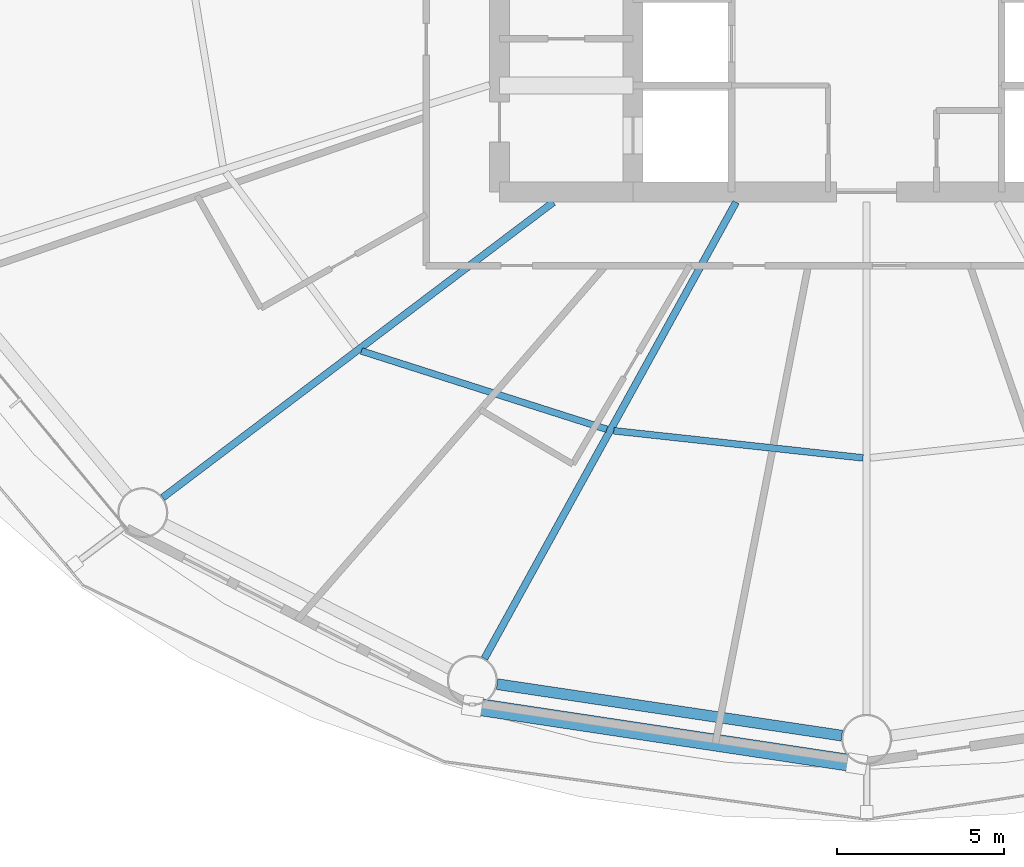
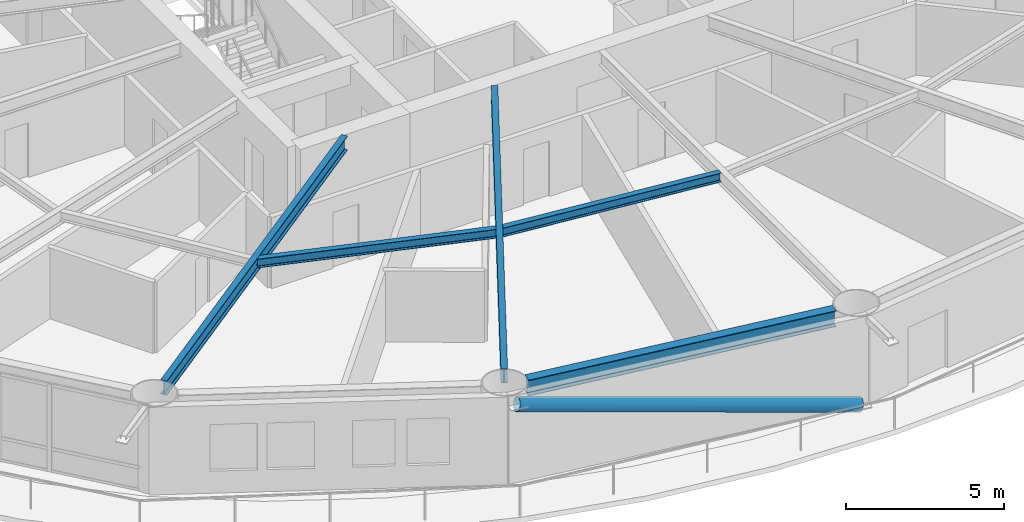
# One storey, part 3 of 26: 5 beams, 1 member.
"""IFC4 building model written with IfcOpenShell, lengths in metres."""

from ifc_helpers import new_model, si_unit, direction, frame, origin, origin_2d, place, context, subcontext, project, spatial, hollow_circle, i_section, extrude, material, material_profile, profile_set, type_object, element, save


model = new_model("IFC4")

# Units and contexts
model_context = context("Model", 3, precision=1e-05, world=origin(), true_north=direction((0.0, 1.0)))
body_context = subcontext(model_context, "Body", "Model", "MODEL_VIEW")
ifc_project = project(units=[si_unit("LENGTHUNIT", "METRE"), si_unit("AREAUNIT", "SQUARE_METRE"), si_unit("VOLUMEUNIT", "CUBIC_METRE"), si_unit("PLANEANGLEUNIT", "RADIAN"), si_unit("MASSUNIT", "GRAM", prefix="KILO")], contexts=[model_context])

# Site, building, storey
site_placement = place(None, origin())
site = spatial("IfcSite", under=ifc_project, at=site_placement, CompositionType="ELEMENT")
building_placement = place(site_placement, origin())
building = spatial("IfcBuilding", under=site, at=building_placement, Name="Sarneth Arch Tower", CompositionType="ELEMENT")
storey_placement = place(building_placement, frame((0.0, 0.0, 71.39990234375)))
storey = spatial("IfcBuildingStorey", under=building, at=storey_placement, Name="L17", CompositionType="ELEMENT", Elevation=71.39990234375)

# Beams
ifc_material_1 = material(Name="Steel S355", Category="steel")
ifc_material_profile_1 = material_profile(ifc_material_1, i_section(OverallWidth=0.202880859375, OverallDepth=0.346923828125, WebThickness=0.0078125, FlangeThickness=0.013427734375, FilletRadius=0.014892578125, at=origin_2d()), Name="W360x64")
ifc_profile_set_1 = profile_set([ifc_material_profile_1], Name="Steel S355")
beam_type_1 = type_object("IfcBeamType", Name="BM-JOIST-360C", PredefinedType="JOIST", material=ifc_profile_set_1)
beam_1_placement = place(storey_placement, frame((32.857666015625, 30.441162109375, 3.20654296875), z_axis=(0.95266836992, -0.304011475036, 0.0), x_axis=(0.304011475036, 0.95266836992, 0.0)))
element("IfcBeam", 1, at=beam_1_placement, inside=storey, type_object=beam_type_1, Name="L17 Secondary floor joist 11", PredefinedType="JOIST", context=body_context, shape_type="SweptSolid", body=[
    extrude(i_section(OverallWidth=0.202880859375, OverallDepth=0.346923828125, WebThickness=0.0078125, FlangeThickness=0.013427734375, FilletRadius=0.014892578125, at=origin_2d()), origin(), (0.0, 0.0, 1.0), 7.720703125),
])
beam_2_placement = place(storey_placement, frame((40.421142578125, 28.0498046875, 3.20654296875), z_axis=(0.994129966112, -0.108192469602, 0.0), x_axis=(0.108192469602, 0.994129966112, 0.0)))
element("IfcBeam", 2, at=beam_2_placement, inside=storey, type_object=beam_type_1, Name="L17 Secondary floor joist 12", PredefinedType="JOIST", context=body_context, shape_type="SweptSolid", body=[
    extrude(i_section(OverallWidth=0.202880859375, OverallDepth=0.346923828125, WebThickness=0.0078125, FlangeThickness=0.013427734375, FilletRadius=0.014892578125, at=origin_2d()), origin(), (0.0, 0.0, 1.0), 7.5166015625),
])
ifc_material_2 = material(Name="Steel S355", Category="steel")
ifc_material_profile_2 = material_profile(ifc_material_2, i_section(OverallWidth=0.214111328125, OverallDepth=0.549072265625, WebThickness=0.0146484375, FlangeThickness=0.023681640625, FilletRadius=0.01806640625, at=origin_2d()), Name="W530x138")
ifc_profile_set_2 = profile_set([ifc_material_profile_2], Name="Steel S355")
beam_type_2 = type_object("IfcBeamType", Name="BM-RAD-530A", PredefinedType="BEAM", material=ifc_profile_set_2)
beam_3_placement = place(storey_placement, frame((38.609619140625, 34.89990234375, 3.105712890625), z_axis=(-0.79765464731, -0.603114469753, 0.0), x_axis=(0.603114469753, -0.79765464731, 0.0)))
element("IfcBeam", 3, at=beam_3_placement, inside=storey, type_object=beam_type_2, Name="L17 Radial floor girder 11", PredefinedType="BEAM", context=body_context, shape_type="SweptSolid", body=[
    extrude(i_section(OverallWidth=0.214111328125, OverallDepth=0.549072265625, WebThickness=0.0146484375, FlangeThickness=0.023681640625, FilletRadius=0.01806640625, at=origin_2d()), origin(), (0.0, 0.0, 1.0), 14.677978515625),
])
beam_4_placement = place(storey_placement, frame((44.08544921875, 34.89990234375, 3.105712890625), z_axis=(-0.482841370957, -0.875707833979, 0.0), x_axis=(0.875707833979, -0.482841370957, 0.0)))
element("IfcBeam", 4, at=beam_4_placement, inside=storey, type_object=beam_type_2, Name="L17 Radial floor girder 12", PredefinedType="BEAM", context=body_context, shape_type="SweptSolid", body=[
    extrude(i_section(OverallWidth=0.214111328125, OverallDepth=0.549072265625, WebThickness=0.0146484375, FlangeThickness=0.023681640625, FilletRadius=0.01806640625, at=origin_2d()), origin(), (0.0, 0.0, 1.0), 15.618408203125),
])
ifc_material_3 = material(Name="Steel S355", Category="steel")
ifc_material_profile_3 = material_profile(ifc_material_3, i_section(OverallWidth=0.326904296875, OverallDepth=0.6220703125, WebThickness=0.015380859375, FlangeThickness=0.0244140625, FilletRadius=0.01904296875, at=origin_2d()), Name="W610x195")
ifc_profile_set_3 = profile_set([ifc_material_profile_3], Name="Steel S355")
beam_type_3 = type_object("IfcBeamType", Name="BM-SPAN-610A", PredefinedType="SPANDREL", material=ifc_profile_set_3)
beam_5_placement = place(storey_placement, frame((36.923828125, 20.455078125, 3.069091796875), z_axis=(0.989020169581, -0.147780594675, 0.0), x_axis=(0.147780594675, 0.989020169581, 0.0)))
element("IfcBeam", 5, at=beam_5_placement, inside=storey, type_object=beam_type_3, Name="L17 Perimeter spandrel beam 12", PredefinedType="SPANDREL", context=body_context, shape_type="SweptSolid", body=[
    extrude(i_section(OverallWidth=0.326904296875, OverallDepth=0.6220703125, WebThickness=0.015380859375, FlangeThickness=0.0244140625, FilletRadius=0.01904296875, at=origin_2d()), origin(), (0.0, 0.0, 1.0), 10.44921875),
])

# Member
ifc_material_4 = material(Name="Steel S355", Category="steel")
ifc_material_profile_4 = material_profile(ifc_material_4, hollow_circle(Radius=0.25390625, WallThickness=0.01611328125, at=origin_2d()), Name="CHS508x16")
ifc_profile_set_4 = profile_set([ifc_material_profile_4], Name="Steel S355")
member_type = type_object("IfcMemberType", Name="MEM-DIAG-BR1", PredefinedType="BRACE", material=ifc_profile_set_4)
member_placement = place(storey_placement, frame((47.703369140625, 18.064697265625, 0.02001953125), z_axis=(-0.957875899759, 0.144316613483, 0.248287083301), x_axis=(-0.1489817545, -0.988839944999, 0.0)))
element("IfcMember", 6, at=member_placement, inside=storey, type_object=member_type, Name="L17 Perimeter frame diagonal 12", PredefinedType="BRACE", context=body_context, shape_type="SweptSolid", body=[
    extrude(hollow_circle(Radius=0.25390625, WallThickness=0.01611328125, at=origin_2d()), origin(), (0.0, 0.0, 1.0), 12.02978515625),
])

save(model, "model.ifc")
